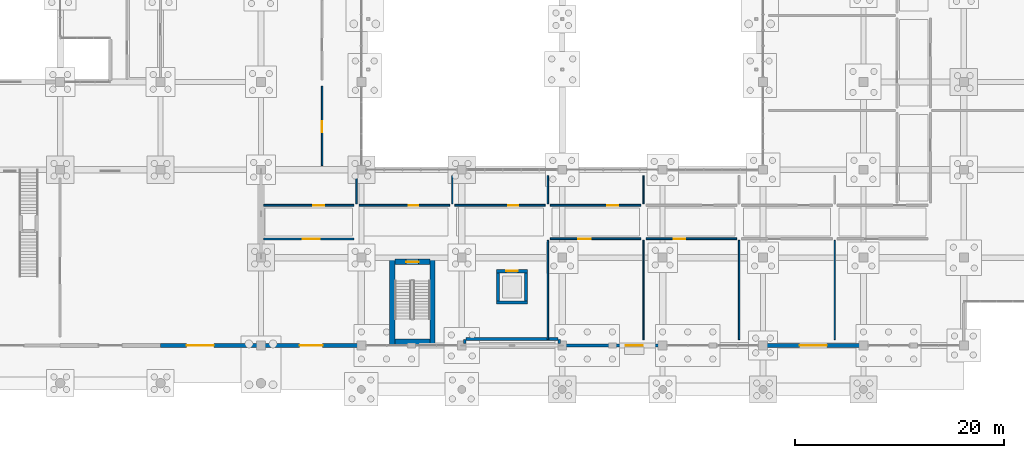
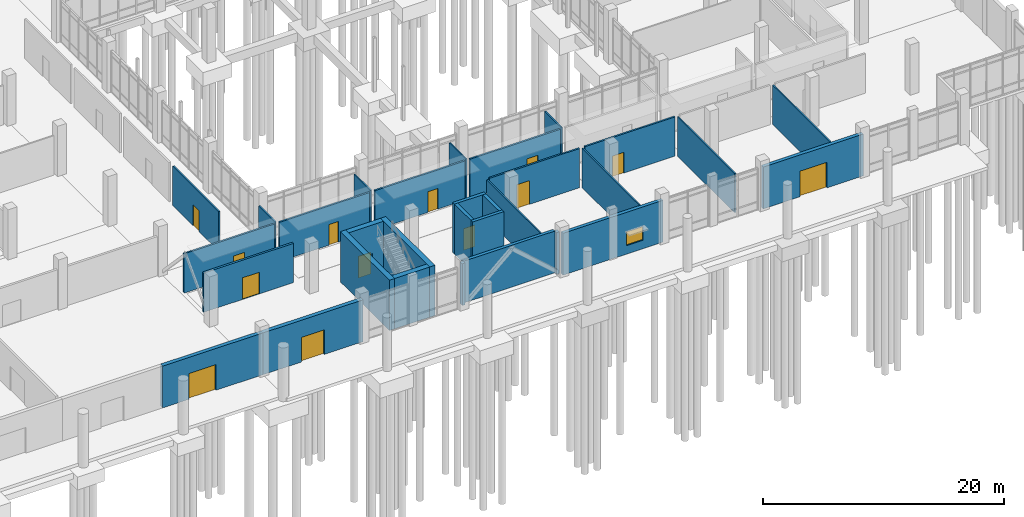
# One storey, part 111 of 136: 31 walls, 13 doors, 1 window, 14 openings.
"""IFC4 building model written with IfcOpenShell, lengths in metres."""

from ifc_helpers import new_model, si_unit, direction, frame, frame_2d, origin, place, context, subcontext, project, spatial, rectangle, extrude, material, layer, layer_set, type_object, element, fill, save


model = new_model("IFC4")

# Units and contexts
model_context = context("Model", 3, precision=1e-05, world=origin(), true_north=direction((0.0, 1.0)))
body_context = subcontext(model_context, "Body", "Model", "MODEL_VIEW")
ifc_project = project(units=[si_unit("LENGTHUNIT", "METRE"), si_unit("AREAUNIT", "SQUARE_METRE"), si_unit("VOLUMEUNIT", "CUBIC_METRE"), si_unit("PLANEANGLEUNIT", "RADIAN"), si_unit("MASSUNIT", "GRAM", prefix="KILO")], contexts=[model_context])

# Site, building, storey
site_placement = place(None, origin())
site = spatial("IfcSite", under=ifc_project, at=site_placement, CompositionType="ELEMENT")
building_placement = place(site_placement, origin())
building = spatial("IfcBuilding", under=site, at=building_placement, Name="Oolite Switchyard Hospital", CompositionType="ELEMENT")
storey_placement = place(building_placement, origin())
storey = spatial("IfcBuildingStorey", under=building, at=storey_placement, Name="L00", CompositionType="ELEMENT", Elevation=0.0)

# Walls
ifc_material_1 = material(Name="Precast oolitic limestone architectural concrete C40/50", Category="masonry")
ifc_layer_1 = layer(ifc_material_1, 0.260009765625)
ifc_layer_set_1 = layer_set([ifc_layer_1], Name="WAL-EXT-260")
wall_type_1 = type_object("IfcWallType", Name="WAL-EXT-260", PredefinedType="SOLIDWALL", material=ifc_layer_set_1)
for number, where, z_axis, x_axis, name in (
    (1, (162.919921875, 8.60009765625, 0.0), (0.0, 0.0, 1.0), (0.0, 1.0, 0.0), "L00 Brace Alcove Cheek Wall 14"),
    (2, (153.8798828125, 8.60009765625, 0.0), (0.0, 0.0, 1.0), (0.0, 1.0, 0.0), "L00 Brace Alcove Cheek Wall 15"),
):
    element("IfcWall", number, at=place(storey_placement, frame(where, z_axis=z_axis, x_axis=x_axis)), inside=storey, type_object=wall_type_1, Name=name, PredefinedType="SOLIDWALL", context=body_context, shape_type="SweptSolid", body=[
        extrude(rectangle(XDim=0.35986328125, YDim=0.260009765625, at=frame_2d((0.179931640625, 0.0))), origin(), (0.0, 0.0, 1.0), 4.239990234375),
    ])
ifc_layer_2 = layer(ifc_material_1, 0.300048828125)
ifc_layer_set_2 = layer_set([ifc_layer_2], Name="WAL-EXT-300")
wall_type_2 = type_object("IfcWallType", Name="WAL-EXT-300", PredefinedType="SOLIDWALL", material=ifc_layer_set_2)
wall_1_placement = place(storey_placement, frame((162.780029296875, 9.02001953125, 0.0), z_axis=(0.0, 0.0, 1.0), x_axis=(-1.0, 0.0, 0.0)))
element("IfcWall", 3, at=wall_1_placement, inside=storey, type_object=wall_type_2, Name="L00 Exterior Spandrel Wall 16", PredefinedType="SOLIDWALL", context=body_context, shape_type="SweptSolid", body=[
    extrude(rectangle(XDim=8.760009765625, YDim=0.300048828125, at=frame_2d((4.3798828125, 0.0))), origin(), (0.0, 0.0, 1.0), 4.239990234375),
])

# Wall, opening, window
ifc_layer_3 = layer(ifc_material_1, 0.320068359375)
ifc_layer_set_3 = layer_set([ifc_layer_3], Name="WAL-EXT-320")
wall_type_3 = type_object("IfcWallType", Name="WAL-EXT-320", PredefinedType="SOLIDWALL", material=ifc_layer_set_3)
wall_2_placement = place(storey_placement, frame((172.800048828125, 8.39990234375, 0.0), z_axis=(0.0, 0.0, 1.0), x_axis=(-1.0, 0.0, 0.0)))
wall_2 = element("IfcWall", 4, at=wall_2_placement, inside=storey, type_object=wall_type_3, Name="L00 Exterior Spandrel Wall 17", PredefinedType="SOLIDWALL", context=body_context, shape_type="SweptSolid", body=[
    extrude(rectangle(XDim=9.60009765625, YDim=0.320068359375, at=frame_2d((4.800048828125, 0.0))), origin(), (0.0, 0.0, 1.0), 4.239990234375),
])
opening_1_placement = place(wall_2_placement, frame((1.919921875, 0.0, 0.85009765625)))
opening_1 = element("IfcOpeningElement", 5, at=opening_1_placement, cuts=wall_2, Name="Opening WN-0003", PredefinedType="OPENING", context=body_context, shape_type="SweptSolid", body=[
    extrude(rectangle(XDim=1.60009765625, YDim=1.39990234375, at=frame_2d((0.800048828125, 0.699951171875))), frame((0.0, 0.169921875, 0.0), z_axis=(0.0, -1.0, 0.0), x_axis=(1.0, 0.0, 0.0)), (0.0, 0.0, 1.0), 0.340087890625),
])
ifc_material_2 = material(Name="Thermally broken aluminum frame with laminated impact glazing", Category="aluminium")
window_type = type_object("IfcWindowType", Name="WIN-IMP-160X140", PartitioningType="SINGLE_PANEL", PredefinedType="WINDOW", material=ifc_material_2)
window_placement = place(opening_1_placement, origin())
window = element("IfcWindow", 6, at=window_placement, inside=storey, type_object=window_type, Name="L00 Hurricane Impact Window WN-0003", OverallHeight=1.39990234375, OverallWidth=1.60009765625, PartitioningType="SINGLE_PANEL", PredefinedType="WINDOW", context=body_context, shape_type="SweptSolid", body=[
    extrude(rectangle(XDim=1.60009765625, YDim=1.39990234375, at=frame_2d((0.800048828125, 0.699951171875))), frame((0.0, 0.030029296875, 0.0), z_axis=(0.0, -1.0, 0.0), x_axis=(1.0, 0.0, 0.0)), (0.0, 0.0, 1.0), 0.06005859375),
])
fill(opening_1, window)

# Wall, opening, door
ifc_layer_4 = layer(ifc_material_1, 0.340087890625)
ifc_layer_set_4 = layer_set([ifc_layer_4], Name="WAL-EXT-340")
wall_type_4 = type_object("IfcWallType", Name="WAL-EXT-340", PredefinedType="SOLIDWALL", material=ifc_layer_set_4)
wall_3_placement = place(storey_placement, frame((192.0, 8.39990234375, 0.0), z_axis=(0.0, 0.0, 1.0), x_axis=(-1.0, 0.0, 0.0)))
wall_3 = element("IfcWall", 7, at=wall_3_placement, inside=storey, type_object=wall_type_4, Name="L00 Exterior Spandrel Wall 18", PredefinedType="SOLIDWALL", context=body_context, shape_type="SweptSolid", body=[
    extrude(rectangle(XDim=9.60009765625, YDim=0.340087890625, at=frame_2d((4.800048828125, 0.0))), origin(), (0.0, 0.0, 1.0), 4.239990234375),
])
opening_2_placement = place(wall_3_placement, frame((3.5, 0.0, 0.0)))
opening_2 = element("IfcOpeningElement", 8, at=opening_2_placement, cuts=wall_3, Name="Opening EX-11", PredefinedType="OPENING", context=body_context, shape_type="SweptSolid", body=[
    extrude(rectangle(XDim=2.60009765625, YDim=2.60009765625, at=frame_2d((1.300048828125, 1.300048828125))), frame((0.0, 0.18017578125, 0.0), z_axis=(0.0, -1.0, 0.0), x_axis=(1.0, 0.0, 0.0)), (0.0, 0.0, 1.0), 0.360107421875),
])
door_type_1 = type_object("IfcDoorType", Name="DR-EXT-260X260", OperationType="NOTDEFINED", PredefinedType="DOOR", material=ifc_material_2)
door_1_placement = place(opening_2_placement, origin())
door_1 = element("IfcDoor", 9, at=door_1_placement, inside=storey, type_object=door_type_1, Name="L00 Exterior EX EX-11", OperationType="DOUBLE_DOOR_SINGLE_SWING", OverallHeight=2.60009765625, OverallWidth=2.60009765625, PredefinedType="DOOR", context=body_context, shape_type="SweptSolid", body=[
    extrude(rectangle(XDim=2.60009765625, YDim=2.60009765625, at=frame_2d((1.300048828125, 1.300048828125))), frame((0.0, 0.02490234375, 0.0), z_axis=(0.0, -1.0, 0.0), x_axis=(1.0, 0.0, 0.0)), (0.0, 0.0, 1.0), 0.050048828125),
])
fill(opening_2, door_1)

ifc_layer_5 = layer(ifc_material_1, 0.360107421875)
ifc_layer_set_5 = layer_set([ifc_layer_5], Name="WAL-EXT-360")
wall_type_5 = type_object("IfcWallType", Name="WAL-EXT-360", PredefinedType="SOLIDWALL", material=ifc_layer_set_5)
wall_4_placement = place(storey_placement, frame((134.39990234375, 8.39990234375, 0.0), z_axis=(0.0, 0.0, 1.0), x_axis=(-1.0, 0.0, 0.0)))
wall_4 = element("IfcWall", 10, at=wall_4_placement, inside=storey, type_object=wall_type_5, Name="L00 Exterior Spandrel Wall 12", PredefinedType="SOLIDWALL", context=body_context, shape_type="SweptSolid", body=[
    extrude(rectangle(XDim=9.599853515625, YDim=0.360107421875, at=frame_2d((4.7998046875, 0.0))), origin(), (0.0, 0.0, 1.0), 4.239990234375),
])
opening_3_placement = place(wall_4_placement, frame((4.5, 0.0, 0.0)))
opening_3 = element("IfcOpeningElement", 11, at=opening_3_placement, cuts=wall_4, Name="Opening EX-09", PredefinedType="OPENING", context=body_context, shape_type="SweptSolid", body=[
    extrude(rectangle(XDim=2.60009765625, YDim=2.60009765625, at=frame_2d((1.300048828125, 1.300048828125))), frame((0.0, 0.18994140625, 0.0), z_axis=(0.0, -1.0, 0.0), x_axis=(1.0, 0.0, 0.0)), (0.0, 0.0, 1.0), 0.380126953125),
])
door_2_placement = place(opening_3_placement, origin())
door_2 = element("IfcDoor", 12, at=door_2_placement, inside=storey, type_object=door_type_1, Name="L00 Exterior EX EX-09", OperationType="DOUBLE_DOOR_SINGLE_SWING", OverallHeight=2.60009765625, OverallWidth=2.60009765625, PredefinedType="DOOR", context=body_context, shape_type="SweptSolid", body=[
    extrude(rectangle(XDim=2.60009765625, YDim=2.60009765625, at=frame_2d((1.300048828125, 1.300048828125))), frame((0.0, 0.02490234375, 0.0), z_axis=(0.0, -1.0, 0.0), x_axis=(1.0, 0.0, 0.0)), (0.0, 0.0, 1.0), 0.050048828125),
])
fill(opening_3, door_2)

ifc_layer_6 = layer(ifc_material_1, 0.3798828125)
ifc_layer_set_6 = layer_set([ifc_layer_6], Name="WAL-EXT-380")
wall_type_6 = type_object("IfcWallType", Name="WAL-EXT-380", PredefinedType="SOLIDWALL", material=ifc_layer_set_6)
wall_5_placement = place(storey_placement, frame((144.0, 8.39990234375, 0.0), z_axis=(0.0, 0.0, 1.0), x_axis=(-1.0, 0.0, 0.0)))
wall_5 = element("IfcWall", 13, at=wall_5_placement, inside=storey, type_object=wall_type_6, Name="L00 Exterior Spandrel Wall 13", PredefinedType="SOLIDWALL", context=body_context, shape_type="SweptSolid", body=[
    extrude(rectangle(XDim=9.60009765625, YDim=0.3798828125, at=frame_2d((4.800048828125, 0.0))), origin(), (0.0, 0.0, 1.0), 4.239990234375),
])
opening_4_placement = place(wall_5_placement, frame((3.699951171875, 0.0, 0.0)))
opening_4 = element("IfcOpeningElement", 14, at=opening_4_placement, cuts=wall_5, Name="Opening EX-10", PredefinedType="OPENING", context=body_context, shape_type="SweptSolid", body=[
    extrude(rectangle(XDim=2.199951171875, YDim=2.5, at=frame_2d((1.10009765625, 1.25))), frame((0.0, 0.199951171875, 0.0), z_axis=(0.0, -1.0, 0.0), x_axis=(1.0, 0.0, 0.0)), (0.0, 0.0, 1.0), 0.39990234375),
])
door_type_2 = type_object("IfcDoorType", Name="DR-EXT-220X250", OperationType="NOTDEFINED", PredefinedType="DOOR", material=ifc_material_2)
door_3_placement = place(opening_4_placement, origin())
door_3 = element("IfcDoor", 15, at=door_3_placement, inside=storey, type_object=door_type_2, Name="L00 Exterior EX EX-10", OperationType="DOUBLE_DOOR_SINGLE_SWING", OverallHeight=2.5, OverallWidth=2.199951171875, PredefinedType="DOOR", context=body_context, shape_type="SweptSolid", body=[
    extrude(rectangle(XDim=2.199951171875, YDim=2.5, at=frame_2d((1.10009765625, 1.25))), frame((0.0, 0.02490234375, 0.0), z_axis=(0.0, -1.0, 0.0), x_axis=(1.0, 0.0, 0.0)), (0.0, 0.0, 1.0), 0.050048828125),
])
fill(opening_4, door_3)

# Walls
ifc_material_3 = material(Name="Moisture-resistant gypsum board on steel studs", Category="steel")
ifc_layer_7 = layer(ifc_material_3, 0.135009765625)
ifc_layer_set_7 = layer_set([ifc_layer_7], Name="WAL-PART-135")
wall_type_7 = type_object("IfcWallType", Name="WAL-PART-135", PredefinedType="PARTITIONING", material=ifc_layer_set_7)
for number, where, z_axis, x_axis, name in (
    (16, (143.54296875, 21.949951171875, 0.0), (0.0, 0.0, 1.0), (0.0, 1.0, 0.0), "L00 Interior Partition 104"),
    (17, (152.68603515625, 21.949951171875, 0.0), (0.0, 0.0, 1.0), (0.0, 1.0, 0.0), "L00 Interior Partition 106"),
):
    element("IfcWall", number, at=place(storey_placement, frame(where, z_axis=z_axis, x_axis=x_axis)), inside=storey, type_object=wall_type_7, Name=name, PredefinedType="PARTITIONING", context=body_context, shape_type="SweptSolid", body=[
        extrude(rectangle(XDim=2.699951171875, YDim=0.135009765625, at=frame_2d((1.35009765625, 0.0))), origin(), (0.0, 0.0, 1.0), 3.97998046875),
    ])
wall_6_placement = place(storey_placement, frame((161.8291015625, 8.949951171875, 0.0), z_axis=(0.0, 0.0, 1.0), x_axis=(0.0, 1.0, 0.0)))
element("IfcWall", 18, at=wall_6_placement, inside=storey, type_object=wall_type_7, Name="L00 Interior Partition 108", PredefinedType="PARTITIONING", context=body_context, shape_type="SweptSolid", body=[
    extrude(rectangle(XDim=9.5, YDim=0.135009765625, at=frame_2d((4.75, 0.0))), origin(), (0.0, 0.0, 1.0), 3.97998046875),
])
wall_7_placement = place(storey_placement, frame((161.8291015625, 21.949951171875, 0.0), z_axis=(0.0, 0.0, 1.0), x_axis=(0.0, 1.0, 0.0)))
element("IfcWall", 19, at=wall_7_placement, inside=storey, type_object=wall_type_7, Name="L00 Interior Partition 110", PredefinedType="PARTITIONING", context=body_context, shape_type="SweptSolid", body=[
    extrude(rectangle(XDim=2.699951171875, YDim=0.135009765625, at=frame_2d((1.35009765625, 0.0))), origin(), (0.0, 0.0, 1.0), 3.97998046875),
])
wall_8_placement = place(storey_placement, frame((170.971923828125, 8.949951171875, 0.0), z_axis=(0.0, 0.0, 1.0), x_axis=(0.0, 1.0, 0.0)))
element("IfcWall", 20, at=wall_8_placement, inside=storey, type_object=wall_type_7, Name="L00 Interior Partition 112", PredefinedType="PARTITIONING", context=body_context, shape_type="SweptSolid", body=[
    extrude(rectangle(XDim=9.5, YDim=0.135009765625, at=frame_2d((4.75, 0.0))), origin(), (0.0, 0.0, 1.0), 3.97998046875),
])
wall_9_placement = place(storey_placement, frame((170.971923828125, 21.949951171875, 0.0), z_axis=(0.0, 0.0, 1.0), x_axis=(0.0, 1.0, 0.0)))
element("IfcWall", 21, at=wall_9_placement, inside=storey, type_object=wall_type_7, Name="L00 Interior Partition 114", PredefinedType="PARTITIONING", context=body_context, shape_type="SweptSolid", body=[
    extrude(rectangle(XDim=2.699951171875, YDim=0.135009765625, at=frame_2d((1.35009765625, 0.0))), origin(), (0.0, 0.0, 1.0), 3.97998046875),
])
for number, where, z_axis, x_axis, name in (
    (22, (180.114990234375, 8.949951171875, 0.0), (0.0, 0.0, 1.0), (0.0, 1.0, 0.0), "L00 Interior Partition 116"),
    (23, (189.258056640625, 8.949951171875, 0.0), (0.0, 0.0, 1.0), (0.0, 1.0, 0.0), "L00 Interior Partition 120"),
):
    element("IfcWall", number, at=place(storey_placement, frame(where, z_axis=z_axis, x_axis=x_axis)), inside=storey, type_object=wall_type_7, Name=name, PredefinedType="PARTITIONING", context=body_context, shape_type="SweptSolid", body=[
        extrude(rectangle(XDim=9.5, YDim=0.135009765625, at=frame_2d((4.75, 0.0))), origin(), (0.0, 0.0, 1.0), 3.97998046875),
    ])

# Wall, opening, door
ifc_layer_8 = layer(ifc_material_3, 0.14990234375)
ifc_layer_set_8 = layer_set([ifc_layer_8], Name="WAL-PART-150")
wall_type_8 = type_object("IfcWallType", Name="WAL-PART-150", PredefinedType="PARTITIONING", material=ifc_layer_set_8)
wall_10_placement = place(storey_placement, frame((140.25, 25.60009765625, 0.0), z_axis=(0.0, 0.0, 1.0), x_axis=(0.0, 1.0, 0.0)))
wall_10 = element("IfcWall", 24, at=wall_10_placement, inside=storey, type_object=wall_type_8, Name="L00 Interior Partition 969", PredefinedType="PARTITIONING", context=body_context, shape_type="SweptSolid", body=[
    extrude(rectangle(XDim=7.599853515625, YDim=0.14990234375, at=frame_2d((3.7998046875, 0.0))), origin(), (0.0, 0.0, 1.0), 3.97998046875),
])
opening_5_placement = place(wall_10_placement, frame((3.199951171875, 0.0, 0.0)))
opening_5 = element("IfcOpeningElement", 25, at=opening_5_placement, cuts=wall_10, Name="Opening D-0537", PredefinedType="OPENING", context=body_context, shape_type="SweptSolid", body=[
    extrude(rectangle(XDim=1.050048828125, YDim=2.10009765625, at=frame_2d((0.52490234375, 1.050048828125))), frame((0.0, 0.0849609375, 0.0), z_axis=(0.0, -1.0, 0.0), x_axis=(1.0, 0.0, 0.0)), (0.0, 0.0, 1.0), 0.169921875),
])
ifc_material_4 = material(Name="Solid-core antimicrobial hardwood leaf in steel frame", Category="steel")
door_type_3 = type_object("IfcDoorType", Name="DR-EXAM-105X210", OperationType="NOTDEFINED", PredefinedType="DOOR", material=ifc_material_4)
door_4_placement = place(opening_5_placement, origin())
door_4 = element("IfcDoor", 26, at=door_4_placement, inside=storey, type_object=door_type_3, Name="L00 Interior Door D-0537", OperationType="SINGLE_SWING_LEFT", OverallHeight=2.10009765625, OverallWidth=1.050048828125, PredefinedType="DOOR", context=body_context, shape_type="SweptSolid", body=[
    extrude(rectangle(XDim=1.050048828125, YDim=2.10009765625, at=frame_2d((0.52490234375, 1.050048828125))), frame((0.0, 0.02490234375, 0.0), z_axis=(0.0, -1.0, 0.0), x_axis=(1.0, 0.0, 0.0)), (0.0, 0.0, 1.0), 0.050048828125),
])
fill(opening_5, door_4)

ifc_layer_9 = layer(ifc_material_3, 0.1650390625)
ifc_layer_set_9 = layer_set([ifc_layer_9], Name="WAL-PART-165")
wall_type_9 = type_object("IfcWallType", Name="WAL-PART-165", PredefinedType="PARTITIONING", material=ifc_layer_set_9)
wall_11_placement = place(storey_placement, frame((134.64990234375, 21.800048828125, 0.0), z_axis=(0.0, 0.0, 1.0), x_axis=(1.0, 0.0, 0.0)))
wall_11 = element("IfcWall", 27, at=wall_11_placement, inside=storey, type_object=wall_type_9, Name="L00 Interior Partition 102", PredefinedType="PARTITIONING", context=body_context, shape_type="SweptSolid", body=[
    extrude(rectangle(XDim=8.64306640625, YDim=0.1650390625, at=frame_2d((4.321533203125, 0.0))), origin(), (0.0, 0.0, 1.0), 3.97998046875),
])
opening_6_placement = place(wall_11_placement, frame((4.75, 0.0, 0.0)))
opening_6 = element("IfcOpeningElement", 28, at=opening_6_placement, cuts=wall_11, Name="Opening D-0064", PredefinedType="OPENING", context=body_context, shape_type="SweptSolid", body=[
    extrude(rectangle(XDim=1.050048828125, YDim=2.10009765625, at=frame_2d((0.52490234375, 1.050048828125))), frame((0.0, 0.092529296875, 0.0), z_axis=(0.0, -1.0, 0.0), x_axis=(1.0, 0.0, 0.0)), (0.0, 0.0, 1.0), 0.18505859375),
])
door_5_placement = place(opening_6_placement, origin())
door_5 = element("IfcDoor", 29, at=door_5_placement, inside=storey, type_object=door_type_3, Name="L00 Interior Door D-0064", OperationType="SINGLE_SWING_RIGHT", OverallHeight=2.10009765625, OverallWidth=1.050048828125, PredefinedType="DOOR", context=body_context, shape_type="SweptSolid", body=[
    extrude(rectangle(XDim=1.050048828125, YDim=2.10009765625, at=frame_2d((0.52490234375, 1.050048828125))), frame((0.0, 0.02490234375, 0.0), z_axis=(0.0, -1.0, 0.0), x_axis=(1.0, 0.0, 0.0)), (0.0, 0.0, 1.0), 0.050048828125),
])
fill(opening_6, door_5)

wall_12_placement = place(storey_placement, frame((143.79296875, 21.800048828125, 0.0), z_axis=(0.0, 0.0, 1.0), x_axis=(1.0, 0.0, 0.0)))
wall_12 = element("IfcWall", 30, at=wall_12_placement, inside=storey, type_object=wall_type_9, Name="L00 Interior Partition 103", PredefinedType="PARTITIONING", context=body_context, shape_type="SweptSolid", body=[
    extrude(rectangle(XDim=8.64306640625, YDim=0.1650390625, at=frame_2d((4.321533203125, 0.0))), origin(), (0.0, 0.0, 1.0), 3.97998046875),
])
opening_7_placement = place(wall_12_placement, frame((4.75, 0.0, 0.0)))
opening_7 = element("IfcOpeningElement", 31, at=opening_7_placement, cuts=wall_12, Name="Opening D-0065", PredefinedType="OPENING", context=body_context, shape_type="SweptSolid", body=[
    extrude(rectangle(XDim=0.89990234375, YDim=2.10009765625, at=frame_2d((0.449951171875, 1.050048828125))), frame((0.0, 0.092529296875, 0.0), z_axis=(0.0, -1.0, 0.0), x_axis=(1.0, 0.0, 0.0)), (0.0, 0.0, 1.0), 0.18505859375),
])
door_type_4 = type_object("IfcDoorType", Name="DR-BATH-090X210", OperationType="NOTDEFINED", PredefinedType="DOOR", material=ifc_material_4)
door_6_placement = place(opening_7_placement, origin())
door_6 = element("IfcDoor", 32, at=door_6_placement, inside=storey, type_object=door_type_4, Name="L00 Interior Door D-0065", OperationType="SINGLE_SWING_LEFT", OverallHeight=2.10009765625, OverallWidth=0.89990234375, PredefinedType="DOOR", context=body_context, shape_type="SweptSolid", body=[
    extrude(rectangle(XDim=0.89990234375, YDim=2.10009765625, at=frame_2d((0.449951171875, 1.050048828125))), frame((0.0, 0.02490234375, 0.0), z_axis=(0.0, -1.0, 0.0), x_axis=(1.0, 0.0, 0.0)), (0.0, 0.0, 1.0), 0.050048828125),
])
fill(opening_7, door_6)

wall_13_placement = place(storey_placement, frame((152.93603515625, 21.800048828125, 0.0), z_axis=(0.0, 0.0, 1.0), x_axis=(1.0, 0.0, 0.0)))
wall_13 = element("IfcWall", 33, at=wall_13_placement, inside=storey, type_object=wall_type_9, Name="L00 Interior Partition 105", PredefinedType="PARTITIONING", context=body_context, shape_type="SweptSolid", body=[
    extrude(rectangle(XDim=8.64306640625, YDim=0.1650390625, at=frame_2d((4.321533203125, 0.0))), origin(), (0.0, 0.0, 1.0), 3.97998046875),
])
opening_8_placement = place(wall_13_placement, frame((5.10009765625, 0.0, 0.0)))
opening_8 = element("IfcOpeningElement", 34, at=opening_8_placement, cuts=wall_13, Name="Opening D-0066", PredefinedType="OPENING", context=body_context, shape_type="SweptSolid", body=[
    extrude(rectangle(XDim=0.949951171875, YDim=2.10009765625, at=frame_2d((0.47509765625, 1.050048828125))), frame((0.0, 0.092529296875, 0.0), z_axis=(0.0, -1.0, 0.0), x_axis=(1.0, 0.0, 0.0)), (0.0, 0.0, 1.0), 0.18505859375),
])
door_type_5 = type_object("IfcDoorType", Name="DR-BATH-095X210", OperationType="NOTDEFINED", PredefinedType="DOOR", material=ifc_material_4)
door_7_placement = place(opening_8_placement, origin())
door_7 = element("IfcDoor", 35, at=door_7_placement, inside=storey, type_object=door_type_5, Name="L00 Interior Door D-0066", OperationType="SINGLE_SWING_RIGHT", OverallHeight=2.10009765625, OverallWidth=0.949951171875, PredefinedType="DOOR", context=body_context, shape_type="SweptSolid", body=[
    extrude(rectangle(XDim=0.949951171875, YDim=2.10009765625, at=frame_2d((0.47509765625, 1.050048828125))), frame((0.0, 0.02490234375, 0.0), z_axis=(0.0, -1.0, 0.0), x_axis=(1.0, 0.0, 0.0)), (0.0, 0.0, 1.0), 0.050048828125),
])
fill(opening_8, door_7)

wall_14_placement = place(storey_placement, frame((162.0791015625, 18.60009765625, 0.0), z_axis=(0.0, 0.0, 1.0), x_axis=(1.0, 0.0, 0.0)))
wall_14 = element("IfcWall", 36, at=wall_14_placement, inside=storey, type_object=wall_type_9, Name="L00 Interior Partition 107", PredefinedType="PARTITIONING", context=body_context, shape_type="SweptSolid", body=[
    extrude(rectangle(XDim=8.642822265625, YDim=0.1650390625, at=frame_2d((4.3212890625, 0.0))), origin(), (0.0, 0.0, 1.0), 3.97998046875),
])
opening_9_placement = place(wall_14_placement, frame((2.64990234375, 0.0, 0.0)))
opening_9 = element("IfcOpeningElement", 37, at=opening_9_placement, cuts=wall_14, Name="Opening D-0067", PredefinedType="OPENING", context=body_context, shape_type="SweptSolid", body=[
    extrude(rectangle(XDim=1.199951171875, YDim=2.39990234375, at=frame_2d((0.60009765625, 1.199951171875))), frame((0.0, 0.092529296875, 0.0), z_axis=(0.0, -1.0, 0.0), x_axis=(1.0, 0.0, 0.0)), (0.0, 0.0, 1.0), 0.18505859375),
])
ifc_material_5 = material(Name="Hollow metal fire-rated steel door assembly", Category="steel")
door_type_6 = type_object("IfcDoorType", Name="DR-PHARM-120X240", OperationType="NOTDEFINED", PredefinedType="DOOR", material=ifc_material_5)
door_8_placement = place(opening_9_placement, origin())
door_8 = element("IfcDoor", 38, at=door_8_placement, inside=storey, type_object=door_type_6, Name="L00 Interior Door D-0067", OperationType="SINGLE_SWING_RIGHT", OverallHeight=2.39990234375, OverallWidth=1.199951171875, PredefinedType="DOOR", context=body_context, shape_type="SweptSolid", body=[
    extrude(rectangle(XDim=1.199951171875, YDim=2.39990234375, at=frame_2d((0.60009765625, 1.199951171875))), frame((0.0, 0.02490234375, 0.0), z_axis=(0.0, -1.0, 0.0), x_axis=(1.0, 0.0, 0.0)), (0.0, 0.0, 1.0), 0.050048828125),
])
fill(opening_9, door_8)

wall_15_placement = place(storey_placement, frame((162.0791015625, 21.800048828125, 0.0), z_axis=(0.0, 0.0, 1.0), x_axis=(1.0, 0.0, 0.0)))
wall_15 = element("IfcWall", 39, at=wall_15_placement, inside=storey, type_object=wall_type_9, Name="L00 Interior Partition 109", PredefinedType="PARTITIONING", context=body_context, shape_type="SweptSolid", body=[
    extrude(rectangle(XDim=8.642822265625, YDim=0.1650390625, at=frame_2d((4.3212890625, 0.0))), origin(), (0.0, 0.0, 1.0), 3.97998046875),
])
opening_10_placement = place(wall_15_placement, frame((5.449951171875, 0.0, 0.0)))
opening_10 = element("IfcOpeningElement", 40, at=opening_10_placement, cuts=wall_15, Name="Opening D-0068", PredefinedType="OPENING", context=body_context, shape_type="SweptSolid", body=[
    extrude(rectangle(XDim=1.050048828125, YDim=2.10009765625, at=frame_2d((0.52490234375, 1.050048828125))), frame((0.0, 0.092529296875, 0.0), z_axis=(0.0, -1.0, 0.0), x_axis=(1.0, 0.0, 0.0)), (0.0, 0.0, 1.0), 0.18505859375),
])
door_9_placement = place(opening_10_placement, origin())
door_9 = element("IfcDoor", 41, at=door_9_placement, inside=storey, type_object=door_type_3, Name="L00 Interior Door D-0068", OperationType="SINGLE_SWING_LEFT", OverallHeight=2.10009765625, OverallWidth=1.050048828125, PredefinedType="DOOR", context=body_context, shape_type="SweptSolid", body=[
    extrude(rectangle(XDim=1.050048828125, YDim=2.10009765625, at=frame_2d((0.52490234375, 1.050048828125))), frame((0.0, 0.02490234375, 0.0), z_axis=(0.0, -1.0, 0.0), x_axis=(1.0, 0.0, 0.0)), (0.0, 0.0, 1.0), 0.050048828125),
])
fill(opening_10, door_9)

wall_16_placement = place(storey_placement, frame((171.221923828125, 18.60009765625, 0.0), z_axis=(0.0, 0.0, 1.0), x_axis=(1.0, 0.0, 0.0)))
wall_16 = element("IfcWall", 42, at=wall_16_placement, inside=storey, type_object=wall_type_9, Name="L00 Interior Partition 111", PredefinedType="PARTITIONING", context=body_context, shape_type="SweptSolid", body=[
    extrude(rectangle(XDim=8.64306640625, YDim=0.1650390625, at=frame_2d((4.321533203125, 0.0))), origin(), (0.0, 0.0, 1.0), 3.97998046875),
])
opening_11_placement = place(wall_16_placement, frame((2.64990234375, 0.0, 0.0)))
opening_11 = element("IfcOpeningElement", 43, at=opening_11_placement, cuts=wall_16, Name="Opening D-0069", PredefinedType="OPENING", context=body_context, shape_type="SweptSolid", body=[
    extrude(rectangle(XDim=1.10009765625, YDim=2.10009765625, at=frame_2d((0.550048828125, 1.050048828125))), frame((0.0, 0.092529296875, 0.0), z_axis=(0.0, -1.0, 0.0), x_axis=(1.0, 0.0, 0.0)), (0.0, 0.0, 1.0), 0.18505859375),
])
door_type_7 = type_object("IfcDoorType", Name="DR-CLIN-110X210", OperationType="NOTDEFINED", PredefinedType="DOOR", material=ifc_material_4)
door_10_placement = place(opening_11_placement, origin())
door_10 = element("IfcDoor", 44, at=door_10_placement, inside=storey, type_object=door_type_7, Name="L00 Interior Door D-0069", OperationType="SINGLE_SWING_LEFT", OverallHeight=2.10009765625, OverallWidth=1.10009765625, PredefinedType="DOOR", context=body_context, shape_type="SweptSolid", body=[
    extrude(rectangle(XDim=1.10009765625, YDim=2.10009765625, at=frame_2d((0.550048828125, 1.050048828125))), frame((0.0, 0.02490234375, 0.0), z_axis=(0.0, -1.0, 0.0), x_axis=(1.0, 0.0, 0.0)), (0.0, 0.0, 1.0), 0.050048828125),
])
fill(opening_11, door_10)

# Walls
ifc_material_6 = material(Name="Concrete C50/60", Category="concrete")
ifc_layer_10 = layer(ifc_material_6, 0.300048828125)
ifc_layer_set_10 = layer_set([ifc_layer_10], Name="WAL-SHR-300")
wall_type_10 = type_object("IfcWallType", Name="WAL-SHR-300", PredefinedType="SHEAR", material=ifc_layer_set_10)
wall_17_placement = place(storey_placement, frame((156.89990234375, 12.5, 0.0), z_axis=(0.0, 0.0, 1.0), x_axis=(1.0, 0.0, 0.0)))
element("IfcWall", 45, at=wall_17_placement, inside=storey, type_object=wall_type_10, Name="L00 Lift Shaft Shear Wall EL-11", PredefinedType="SHEAR", context=body_context, shape_type="SweptSolid", body=[
    extrude(rectangle(XDim=3.0, YDim=0.300048828125, at=frame_2d((1.5, 0.0))), origin(), (0.0, 0.0, 1.0), 5.10009765625),
])
wall_18_placement = place(storey_placement, frame((159.75, 12.64990234375, 0.0), z_axis=(0.0, 0.0, 1.0), x_axis=(0.0, 1.0, 0.0)))
element("IfcWall", 46, at=wall_18_placement, inside=storey, type_object=wall_type_10, Name="L00 Lift Shaft Shear Wall EL-11", PredefinedType="SHEAR", context=body_context, shape_type="SweptSolid", body=[
    extrude(rectangle(XDim=2.7001953125, YDim=0.300048828125, at=frame_2d((1.35009765625, 0.0))), origin(), (0.0, 0.0, 1.0), 5.10009765625),
])

# Wall, opening, door
wall_19_placement = place(storey_placement, frame((159.89990234375, 15.5, 0.0), z_axis=(0.0, 0.0, 1.0), x_axis=(-1.0, 0.0, 0.0)))
wall_19 = element("IfcWall", 47, at=wall_19_placement, inside=storey, type_object=wall_type_10, Name="L00 Lift Shaft Shear Wall EL-11", PredefinedType="SHEAR", context=body_context, shape_type="SweptSolid", body=[
    extrude(rectangle(XDim=3.0, YDim=0.300048828125, at=frame_2d((1.5, 0.0))), origin(), (0.0, 0.0, 1.0), 5.10009765625),
])
opening_12_placement = place(wall_19_placement, frame((0.949951171875, 0.0, 0.0)))
opening_12 = element("IfcOpeningElement", 48, at=opening_12_placement, cuts=wall_19, Name="Opening LD-068", PredefinedType="OPENING", context=body_context, shape_type="SweptSolid", body=[
    extrude(rectangle(XDim=1.10009765625, YDim=2.199951171875, at=frame_2d((0.550048828125, 1.10009765625))), frame((0.0, 0.16015625, 0.0), z_axis=(0.0, -1.0, 0.0), x_axis=(1.0, 0.0, 0.0)), (0.0, 0.0, 1.0), 0.320068359375),
])
ifc_material_7 = material(Name="Brushed stainless steel fire-rated sliding landing door", Category="steel")
door_type_8 = type_object("IfcDoorType", Name="DR-LD-110X220", OperationType="NOTDEFINED", PredefinedType="DOOR", material=ifc_material_7)
door_11_placement = place(opening_12_placement, origin())
door_11 = element("IfcDoor", 49, at=door_11_placement, inside=storey, type_object=door_type_8, Name="L00 EL-11 Lift Landing Door LD-068", OperationType="SLIDING_TO_RIGHT", OverallHeight=2.199951171875, OverallWidth=1.10009765625, PredefinedType="DOOR", context=body_context, shape_type="SweptSolid", body=[
    extrude(rectangle(XDim=1.10009765625, YDim=2.199951171875, at=frame_2d((0.550048828125, 1.10009765625))), frame((0.0, 0.02490234375, 0.0), z_axis=(0.0, -1.0, 0.0), x_axis=(1.0, 0.0, 0.0)), (0.0, 0.0, 1.0), 0.050048828125),
])
fill(opening_12, door_11)

# Walls
wall_20_placement = place(storey_placement, frame((157.050048828125, 15.35009765625, 0.0), z_axis=(0.0, 0.0, 1.0), x_axis=(0.0, -1.0, 0.0)))
element("IfcWall", 50, at=wall_20_placement, inside=storey, type_object=wall_type_10, Name="L00 Lift Shaft Shear Wall EL-11", PredefinedType="SHEAR", context=body_context, shape_type="SweptSolid", body=[
    extrude(rectangle(XDim=2.7001953125, YDim=0.300048828125, at=frame_2d((1.35009765625, 0.0))), origin(), (0.0, 0.0, 1.0), 5.10009765625),
])
ifc_layer_11 = layer(ifc_material_6, 0.5)
ifc_layer_set_11 = layer_set([ifc_layer_11], Name="WAL-SHR-500")
wall_type_11 = type_object("IfcWallType", Name="WAL-SHR-500", PredefinedType="SHEAR", material=ifc_layer_set_11)
wall_21_placement = place(storey_placement, frame((146.949951171875, 16.64990234375, 0.0), z_axis=(0.0, 0.0, 1.0), x_axis=(0.0, -1.0, 0.0)))
element("IfcWall", 51, at=wall_21_placement, inside=storey, type_object=wall_type_11, Name="L00 Core Shear Wall ST-05", PredefinedType="SHEAR", context=body_context, shape_type="SweptSolid", body=[
    extrude(rectangle(XDim=8.14990234375, YDim=0.5, at=frame_2d((4.074951171875, 0.0))), origin(), (0.0, 0.0, 1.0), 5.10009765625),
])
wall_22_placement = place(storey_placement, frame((147.199951171875, 8.75, 0.0), z_axis=(0.0, 0.0, 1.0), x_axis=(1.0, 0.0, 0.0)))
element("IfcWall", 52, at=wall_22_placement, inside=storey, type_object=wall_type_11, Name="L00 Core Shear Wall ST-05", PredefinedType="SHEAR", context=body_context, shape_type="SweptSolid", body=[
    extrude(rectangle(XDim=3.360107421875, YDim=0.5, at=frame_2d((1.68017578125, 0.0))), origin(), (0.0, 0.0, 1.0), 5.10009765625),
])
wall_23_placement = place(storey_placement, frame((150.81005859375, 8.5, 0.0), z_axis=(0.0, 0.0, 1.0), x_axis=(0.0, 1.0, 0.0)))
element("IfcWall", 53, at=wall_23_placement, inside=storey, type_object=wall_type_11, Name="L00 Core Shear Wall ST-05", PredefinedType="SHEAR", context=body_context, shape_type="SweptSolid", body=[
    extrude(rectangle(XDim=8.14990234375, YDim=0.5, at=frame_2d((4.074951171875, 0.0))), origin(), (0.0, 0.0, 1.0), 5.10009765625),
])

# Wall, opening, door
wall_24_placement = place(storey_placement, frame((150.56005859375, 16.39990234375, 0.0), z_axis=(0.0, 0.0, 1.0), x_axis=(-1.0, 0.0, 0.0)))
wall_24 = element("IfcWall", 54, at=wall_24_placement, inside=storey, type_object=wall_type_11, Name="L00 Core Shear Wall ST-05", PredefinedType="SHEAR", context=body_context, shape_type="SweptSolid", body=[
    extrude(rectangle(XDim=3.360107421875, YDim=0.5, at=frame_2d((1.68017578125, 0.0))), origin(), (0.0, 0.0, 1.0), 5.10009765625),
])
opening_13_placement = place(wall_24_placement, frame((1.080078125, 0.0, 0.0)))
opening_13 = element("IfcOpeningElement", 55, at=opening_13_placement, cuts=wall_24, Name="Opening SD-033", PredefinedType="OPENING", context=body_context, shape_type="SweptSolid", body=[
    extrude(rectangle(XDim=1.199951171875, YDim=2.199951171875, at=frame_2d((0.60009765625, 1.10009765625))), frame((0.0, 0.260009765625, 0.0), z_axis=(0.0, -1.0, 0.0), x_axis=(1.0, 0.0, 0.0)), (0.0, 0.0, 1.0), 0.52001953125),
])
door_type_9 = type_object("IfcDoorType", Name="DR-STR-120X220", OperationType="NOTDEFINED", PredefinedType="DOOR", material=ifc_material_5)
door_12_placement = place(opening_13_placement, origin())
door_12 = element("IfcDoor", 56, at=door_12_placement, inside=storey, type_object=door_type_9, Name="L00 ST-05 Exit Stair Door SD-033", OperationType="SINGLE_SWING_LEFT", OverallHeight=2.199951171875, OverallWidth=1.199951171875, PredefinedType="DOOR", context=body_context, shape_type="SweptSolid", body=[
    extrude(rectangle(XDim=1.199951171875, YDim=2.199951171875, at=frame_2d((0.60009765625, 1.10009765625))), frame((0.0, 0.02490234375, 0.0), z_axis=(0.0, -1.0, 0.0), x_axis=(1.0, 0.0, 0.0)), (0.0, 0.0, 1.0), 0.050048828125),
])
fill(opening_13, door_12)

ifc_layer_12 = layer(ifc_material_3, 0.199951171875)
ifc_layer_set_12 = layer_set([ifc_layer_12], Name="WAL-SMK-200")
wall_type_12 = type_object("IfcWallType", Name="WAL-SMK-200", PredefinedType="PARTITIONING", material=ifc_layer_set_12)
wall_25_placement = place(storey_placement, frame((134.64990234375, 18.60009765625, 0.0), z_axis=(0.0, 0.0, 1.0), x_axis=(1.0, 0.0, 0.0)))
wall_25 = element("IfcWall", 57, at=wall_25_placement, inside=storey, type_object=wall_type_12, Name="L00 Interior Partition 101", PredefinedType="PARTITIONING", context=body_context, shape_type="SweptSolid", body=[
    extrude(rectangle(XDim=8.64306640625, YDim=0.199951171875, at=frame_2d((4.321533203125, 0.0))), origin(), (0.0, 0.0, 1.0), 3.97998046875),
])
opening_14_placement = place(wall_25_placement, frame((3.75, 0.0, 0.0)))
opening_14 = element("IfcOpeningElement", 58, at=opening_14_placement, cuts=wall_25, Name="Opening D-0063", PredefinedType="OPENING", context=body_context, shape_type="SweptSolid", body=[
    extrude(rectangle(XDim=1.60009765625, YDim=2.199951171875, at=frame_2d((0.800048828125, 1.10009765625))), frame((0.0, 0.10986328125, 0.0), z_axis=(0.0, -1.0, 0.0), x_axis=(1.0, 0.0, 0.0)), (0.0, 0.0, 1.0), 0.219970703125),
])
door_type_10 = type_object("IfcDoorType", Name="DR-DBL-160X220", OperationType="NOTDEFINED", PredefinedType="DOOR", material=ifc_material_5)
door_13_placement = place(opening_14_placement, origin())
door_13 = element("IfcDoor", 59, at=door_13_placement, inside=storey, type_object=door_type_10, Name="L00 Interior Door D-0063", OperationType="DOUBLE_DOOR_SINGLE_SWING", OverallHeight=2.199951171875, OverallWidth=1.60009765625, PredefinedType="DOOR", context=body_context, shape_type="SweptSolid", body=[
    extrude(rectangle(XDim=1.60009765625, YDim=2.199951171875, at=frame_2d((0.800048828125, 1.10009765625))), frame((0.0, 0.02490234375, 0.0), z_axis=(0.0, -1.0, 0.0), x_axis=(1.0, 0.0, 0.0)), (0.0, 0.0, 1.0), 0.050048828125),
])
fill(opening_14, door_13)

save(model, "model.ifc")
